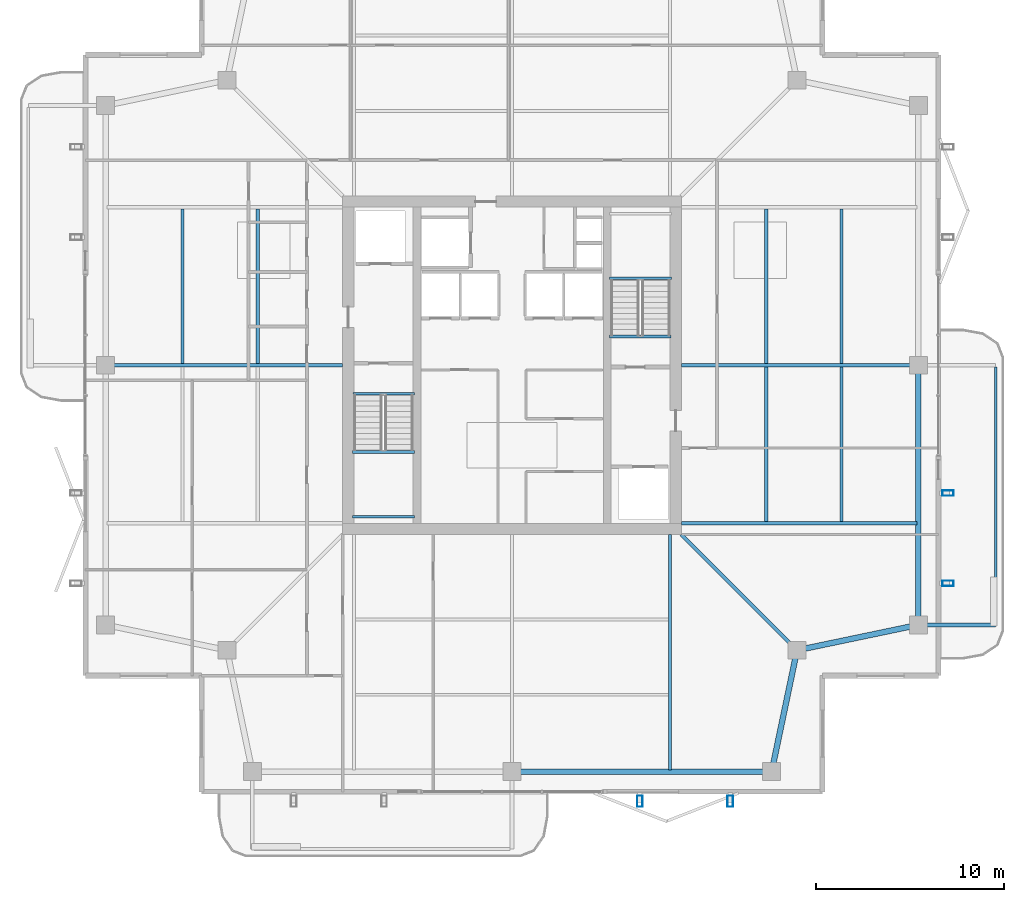
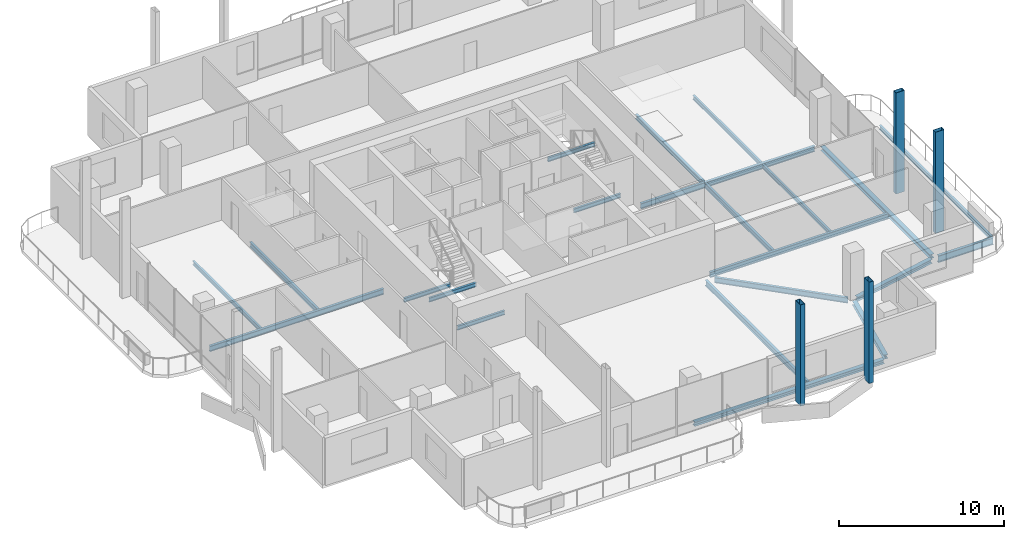
# One storey, part 8 of 20: 22 beams, 4 members.
"""IFC4 building model written with IfcOpenShell, lengths in metres."""

from ifc_helpers import new_model, si_unit, direction, frame, origin, origin_2d, place, context, subcontext, project, spatial, hollow_rectangle, i_section, extrude, material, material_profile, profile_set, type_object, element, save


model = new_model("IFC4")

# Units and contexts
model_context = context("Model", 3, precision=1e-05, world=origin(), true_north=direction((0.0, 1.0)))
body_context = subcontext(model_context, "Body", "Model", "MODEL_VIEW")
ifc_project = project(units=[si_unit("LENGTHUNIT", "METRE"), si_unit("AREAUNIT", "SQUARE_METRE"), si_unit("VOLUMEUNIT", "CUBIC_METRE"), si_unit("PLANEANGLEUNIT", "RADIAN"), si_unit("MASSUNIT", "GRAM", prefix="KILO")], contexts=[model_context])

# Site, building, storey
site_placement = place(None, origin())
site = spatial("IfcSite", under=ifc_project, at=site_placement, CompositionType="ELEMENT")
building_placement = place(site_placement, origin())
building = spatial("IfcBuilding", under=site, at=building_placement, Name="Belovzor Exchange Tower", CompositionType="ELEMENT")
storey_placement = place(building_placement, frame((0.0, 0.0, 314.25)))
storey = spatial("IfcBuildingStorey", under=building, at=storey_placement, Name="L78", CompositionType="ELEMENT", Elevation=314.25)

# Beams
ifc_material_1 = material(Name="Steel S355", Category="steel")
ifc_material_profile_1 = material_profile(ifc_material_1, i_section(OverallWidth=0.199951171875, OverallDepth=0.5, WebThickness=0.01025390625, FlangeThickness=0.01611328125, at=origin_2d()))
ifc_profile_set_1 = profile_set([ifc_material_profile_1], Name="Steel S355")
beam_type_1 = type_object("IfcBeamType", Name="Planted Balcony Cantilever Beam IPE 500", PredefinedType="BEAM", material=ifc_profile_set_1)
beam_1_placement = place(storey_placement, frame((50.660888671875, 15.0, -0.489990234375), z_axis=(1.0, 0.0, 0.0), x_axis=(0.0, 1.0, 0.0)))
element("IfcBeam", 1, at=beam_1_placement, inside=storey, type_object=beam_type_1, Name="BC-500 Planted Balcony Cantilever Beam IPE 500", PredefinedType="BEAM", context=body_context, shape_type="SweptSolid", body=[
    extrude(i_section(OverallWidth=0.199951171875, OverallDepth=0.5, WebThickness=0.01025390625, FlangeThickness=0.01611328125, at=origin_2d()), origin(), (0.0, 0.0, 1.0), 3.85009765625),
])
ifc_material_2 = material(Name="Steel S355", Category="steel")
ifc_material_profile_2 = material_profile(ifc_material_2, i_section(OverallWidth=0.14990234375, OverallDepth=0.300048828125, WebThickness=0.007080078125, FlangeThickness=0.0107421875, at=origin_2d()))
ifc_profile_set_2 = profile_set([ifc_material_profile_2], Name="Steel S355")
beam_type_2 = type_object("IfcBeamType", Name="Planted Balcony Fascia Edge Beam IPE 300", PredefinedType="BEAM", material=ifc_profile_set_2)
beam_2_placement = place(storey_placement, frame((54.510986328125, 15.10009765625, -0.389892578125), z_axis=(0.0, 1.0, 0.0), x_axis=(-1.0, 0.0, 0.0)))
element("IfcBeam", 2, at=beam_2_placement, inside=storey, type_object=beam_type_2, Name="BC-300 Planted Balcony Fascia Edge Beam IPE 300", PredefinedType="BEAM", context=body_context, shape_type="SweptSolid", body=[
    extrude(i_section(OverallWidth=0.14990234375, OverallDepth=0.300048828125, WebThickness=0.007080078125, FlangeThickness=0.0107421875, at=origin_2d()), origin(), (0.0, 0.0, 1.0), 13.599853515625),
])
ifc_material_3 = material(Name="Steel S355", Category="steel")
ifc_material_profile_3 = material_profile(ifc_material_3, i_section(OverallWidth=0.169921875, OverallDepth=0.360107421875, WebThickness=0.008056640625, FlangeThickness=0.0126953125, at=origin_2d()))
ifc_profile_set_3 = profile_set([ifc_material_profile_3], Name="Steel S355")
beam_type_3 = type_object("IfcBeamType", Name="Secondary Infill Floor Joist IPE 360", PredefinedType="BEAM", material=ifc_profile_set_3)
beam_3_placement = place(storey_placement, frame((15.291015625, 28.889892578125, -0.419921875), z_axis=(0.0, 1.0, 0.0), x_axis=(-1.0, 0.0, 0.0)))
element("IfcBeam", 3, at=beam_3_placement, inside=storey, type_object=beam_type_3, Name="FJ-360 Secondary Infill Floor Joist IPE 360", PredefinedType="BEAM", context=body_context, shape_type="SweptSolid", body=[
    extrude(i_section(OverallWidth=0.169921875, OverallDepth=0.360107421875, WebThickness=0.008056640625, FlangeThickness=0.0126953125, at=origin_2d()), origin(), (0.0, 0.0, 1.0), 8.22021484375),
])
beam_4_placement = place(storey_placement, frame((42.30908203125, 20.489990234375, -0.419921875), z_axis=(0.0, 1.0, 0.0), x_axis=(-1.0, 0.0, 0.0)))
element("IfcBeam", 4, at=beam_4_placement, inside=storey, type_object=beam_type_3, Name="FJ-360 Secondary Infill Floor Joist IPE 360", PredefinedType="BEAM", context=body_context, shape_type="SweptSolid", body=[
    extrude(i_section(OverallWidth=0.169921875, OverallDepth=0.360107421875, WebThickness=0.008056640625, FlangeThickness=0.0126953125, at=origin_2d()), origin(), (0.0, 0.0, 1.0), 8.219970703125),
])
beam_5_placement = place(storey_placement, frame((42.30908203125, 28.889892578125, -0.419921875), z_axis=(0.0, 1.0, 0.0), x_axis=(-1.0, 0.0, 0.0)))
element("IfcBeam", 5, at=beam_5_placement, inside=storey, type_object=beam_type_3, Name="FJ-360 Secondary Infill Floor Joist IPE 360", PredefinedType="BEAM", context=body_context, shape_type="SweptSolid", body=[
    extrude(i_section(OverallWidth=0.169921875, OverallDepth=0.360107421875, WebThickness=0.008056640625, FlangeThickness=0.0126953125, at=origin_2d()), origin(), (0.0, 0.0, 1.0), 8.22021484375),
])
ifc_material_4 = material(Name="Steel S355", Category="steel")
ifc_material_profile_4 = material_profile(ifc_material_4, i_section(OverallWidth=0.14990234375, OverallDepth=0.300048828125, WebThickness=0.007080078125, FlangeThickness=0.0107421875, at=origin_2d()))
ifc_profile_set_4 = profile_set([ifc_material_profile_4], Name="Steel S355")
beam_type_4 = type_object("IfcBeamType", Name="Secondary Trim Floor Joist IPE 300", PredefinedType="BEAM", material=ifc_profile_set_4)
for number, where, z_axis, x_axis, name in (
    (6, (20.320068359375, 24.179931640625, 1.52490234375), (1.0, 0.0, 0.0), (0.0, 1.0, 0.0), "FJ-300 Secondary Trim Floor Joist IPE 300"),
    (7, (20.320068359375, 20.75, 1.52490234375), (1.0, 0.0, 0.0), (0.0, 1.0, 0.0), "FJ-300 Secondary Trim Floor Joist IPE 300"),
):
    element("IfcBeam", number, at=place(storey_placement, frame(where, z_axis=z_axis, x_axis=x_axis)), inside=storey, type_object=beam_type_4, Name=name, PredefinedType="BEAM", context=body_context, shape_type="SweptSolid", body=[
        extrude(i_section(OverallWidth=0.14990234375, OverallDepth=0.300048828125, WebThickness=0.007080078125, FlangeThickness=0.0107421875, at=origin_2d()), origin(), (0.0, 0.0, 1.0), 3.309814453125),
    ])
beam_6_placement = place(storey_placement, frame((20.340087890625, 27.280029296875, -0.389892578125), z_axis=(1.0, 0.0, 0.0), x_axis=(0.0, 1.0, 0.0)))
element("IfcBeam", 8, at=beam_6_placement, inside=storey, type_object=beam_type_4, Name="FJ-300 Secondary Trim Floor Joist IPE 300", PredefinedType="BEAM", context=body_context, shape_type="SweptSolid", body=[
    extrude(i_section(OverallWidth=0.14990234375, OverallDepth=0.300048828125, WebThickness=0.007080078125, FlangeThickness=0.0107421875, at=origin_2d()), origin(), (0.0, 0.0, 1.0), 3.27001953125),
])
beam_7_placement = place(storey_placement, frame((37.280029296875, 33.419921875, 1.52490234375), z_axis=(-1.0, 0.0, 0.0), x_axis=(0.0, -1.0, 0.0)))
element("IfcBeam", 9, at=beam_7_placement, inside=storey, type_object=beam_type_4, Name="FJ-300 Secondary Trim Floor Joist IPE 300", PredefinedType="BEAM", context=body_context, shape_type="SweptSolid", body=[
    extrude(i_section(OverallWidth=0.14990234375, OverallDepth=0.300048828125, WebThickness=0.007080078125, FlangeThickness=0.0107421875, at=origin_2d()), origin(), (0.0, 0.0, 1.0), 3.31005859375),
])
beam_8_placement = place(storey_placement, frame((37.260009765625, 30.320068359375, -0.389892578125), z_axis=(-1.0, 0.0, 0.0), x_axis=(0.0, -1.0, 0.0)))
element("IfcBeam", 10, at=beam_8_placement, inside=storey, type_object=beam_type_4, Name="FJ-300 Secondary Trim Floor Joist IPE 300", PredefinedType="BEAM", context=body_context, shape_type="SweptSolid", body=[
    extrude(i_section(OverallWidth=0.14990234375, OverallDepth=0.300048828125, WebThickness=0.007080078125, FlangeThickness=0.0107421875, at=origin_2d()), origin(), (0.0, 0.0, 1.0), 3.27001953125),
])
beam_9_placement = place(storey_placement, frame((11.282958984375, 28.889892578125, -0.389892578125), z_axis=(0.0, 1.0, 0.0), x_axis=(-1.0, 0.0, 0.0)))
element("IfcBeam", 11, at=beam_9_placement, inside=storey, type_object=beam_type_4, Name="FJ-300 Secondary Trim Floor Joist IPE 300", PredefinedType="BEAM", context=body_context, shape_type="SweptSolid", body=[
    extrude(i_section(OverallWidth=0.14990234375, OverallDepth=0.300048828125, WebThickness=0.007080078125, FlangeThickness=0.0107421875, at=origin_2d()), origin(), (0.0, 0.0, 1.0), 8.22021484375),
])
beam_10_placement = place(storey_placement, frame((46.31689453125, 20.489990234375, -0.389892578125), z_axis=(0.0, 1.0, 0.0), x_axis=(-1.0, 0.0, 0.0)))
element("IfcBeam", 12, at=beam_10_placement, inside=storey, type_object=beam_type_4, Name="FJ-300 Secondary Trim Floor Joist IPE 300", PredefinedType="BEAM", context=body_context, shape_type="SweptSolid", body=[
    extrude(i_section(OverallWidth=0.14990234375, OverallDepth=0.300048828125, WebThickness=0.007080078125, FlangeThickness=0.0107421875, at=origin_2d()), origin(), (0.0, 0.0, 1.0), 8.219970703125),
])
beam_11_placement = place(storey_placement, frame((46.31689453125, 28.889892578125, -0.389892578125), z_axis=(0.0, 1.0, 0.0), x_axis=(-1.0, 0.0, 0.0)))
element("IfcBeam", 13, at=beam_11_placement, inside=storey, type_object=beam_type_4, Name="FJ-300 Secondary Trim Floor Joist IPE 300", PredefinedType="BEAM", context=body_context, shape_type="SweptSolid", body=[
    extrude(i_section(OverallWidth=0.14990234375, OverallDepth=0.300048828125, WebThickness=0.007080078125, FlangeThickness=0.0107421875, at=origin_2d()), origin(), (0.0, 0.0, 1.0), 8.22021484375),
])

# Members
ifc_material_5 = material(Name="Extruded Architectural Terracotta on Steel S355 Carrier", Category="masonry")
ifc_material_profile_5 = material_profile(ifc_material_5, hollow_rectangle(XDim=0.300048828125, YDim=0.60009765625, WallThickness=0.01611328125, at=origin_2d()))
ifc_profile_set_5 = profile_set([ifc_material_profile_5], Name="Extruded Architectural Terracotta on Steel S355 Carrier")
member_type = type_object("IfcMemberType", Name="Upper Crown Terracotta Fin Assembly 550", PredefinedType="USERDEFINED", material=ifc_profile_set_5)
for number, where, z_axis, x_axis, name in (
    (14, (51.97509765625, 17.199951171875, -0.239990234375), (0.0, 0.0, 1.0), (0.0, 1.0, 0.0), "FIN-TC055 Terracotta Facade Fin L78 E1"),
    (15, (51.97509765625, 22.0, -0.239990234375), (0.0, 0.0, 1.0), (0.0, 1.0, 0.0), "FIN-TC055 Terracotta Facade Fin L78 E2"),
    (16, (35.60009765625, 5.625, -0.239990234375), (0.0, 0.0, 1.0), (1.0, 0.0, 0.0), "FIN-TC055 Terracotta Facade Fin L78 S3"),
    (17, (40.39990234375, 5.625, -0.239990234375), (0.0, 0.0, 1.0), (1.0, 0.0, 0.0), "FIN-TC055 Terracotta Facade Fin L78 S4"),
):
    element("IfcMember", number, at=place(storey_placement, frame(where, z_axis=z_axis, x_axis=x_axis)), inside=storey, type_object=member_type, Name=name, ObjectType="FIN", PredefinedType="USERDEFINED", context=body_context, shape_type="SweptSolid", body=[
        extrude(hollow_rectangle(XDim=0.300048828125, YDim=0.60009765625, WallThickness=0.01611328125, at=origin_2d()), origin(), (0.0, 0.0, 1.0), 7.5),
    ])

# Beams
ifc_material_6 = material(Name="Steel S355", Category="steel")
ifc_material_profile_6 = material_profile(ifc_material_6, i_section(OverallWidth=0.179931640625, OverallDepth=0.39990234375, WebThickness=0.008544921875, FlangeThickness=0.013427734375, at=origin_2d()))
ifc_profile_set_6 = profile_set([ifc_material_profile_6], Name="Steel S355")
beam_type_5 = type_object("IfcBeamType", Name="Zone 5-6 Radial Composite Floor Beam IPE 400", PredefinedType="BEAM", material=ifc_profile_set_6)
beam_12_placement = place(storey_placement, frame((37.199951171875, 19.800048828125, -0.43994140625), z_axis=(0.0, -1.0, 0.0), x_axis=(1.0, 0.0, 0.0)))
element("IfcBeam", 18, at=beam_12_placement, inside=storey, type_object=beam_type_5, Name="FB-400 Zone 5-6 Radial Composite Floor Beam IPE 400", PredefinedType="BEAM", context=body_context, shape_type="SweptSolid", body=[
    extrude(i_section(OverallWidth=0.179931640625, OverallDepth=0.39990234375, WebThickness=0.008544921875, FlangeThickness=0.013427734375, at=origin_2d()), origin(), (0.0, 0.0, 1.0), 12.525146484375),
])
beam_13_placement = place(storey_placement, frame((19.800048828125, 28.800048828125, -0.43994140625), z_axis=(-1.0, 0.0, 0.0), x_axis=(0.0, -1.0, 0.0)))
element("IfcBeam", 19, at=beam_13_placement, inside=storey, type_object=beam_type_5, Name="FB-400 Zone 5-6 Radial Composite Floor Beam IPE 400", PredefinedType="BEAM", context=body_context, shape_type="SweptSolid", body=[
    extrude(i_section(OverallWidth=0.179931640625, OverallDepth=0.39990234375, WebThickness=0.008544921875, FlangeThickness=0.013427734375, at=origin_2d()), origin(), (0.0, 0.0, 1.0), 12.18212890625),
])
beam_14_placement = place(storey_placement, frame((37.800048828125, 20.39990234375, -0.43994140625), z_axis=(1.0, 0.0, 0.0), x_axis=(0.0, 1.0, 0.0)))
element("IfcBeam", 20, at=beam_14_placement, inside=storey, type_object=beam_type_5, Name="FB-400 Zone 5-6 Radial Composite Floor Beam IPE 400", PredefinedType="BEAM", context=body_context, shape_type="SweptSolid", body=[
    extrude(i_section(OverallWidth=0.179931640625, OverallDepth=0.39990234375, WebThickness=0.008544921875, FlangeThickness=0.013427734375, at=origin_2d()), origin(), (0.0, 0.0, 1.0), 12.52490234375),
])
beam_15_placement = place(storey_placement, frame((37.800048828125, 28.800048828125, -0.43994140625), z_axis=(1.0, 0.0, 0.0), x_axis=(0.0, 1.0, 0.0)))
element("IfcBeam", 21, at=beam_15_placement, inside=storey, type_object=beam_type_5, Name="FB-400 Zone 5-6 Radial Composite Floor Beam IPE 400", PredefinedType="BEAM", context=body_context, shape_type="SweptSolid", body=[
    extrude(i_section(OverallWidth=0.179931640625, OverallDepth=0.39990234375, WebThickness=0.008544921875, FlangeThickness=0.013427734375, at=origin_2d()), origin(), (0.0, 0.0, 1.0), 12.181884765625),
])
beam_16_placement = place(storey_placement, frame((37.800048828125, 19.800048828125, -0.43994140625), z_axis=(0.707150577091, -0.707062982569, 0.0), x_axis=(0.707062982569, 0.707150577091, 0.0)))
element("IfcBeam", 22, at=beam_16_placement, inside=storey, type_object=beam_type_5, Name="FB-400 Zone 5-6 Radial Composite Floor Beam IPE 400", PredefinedType="BEAM", context=body_context, shape_type="SweptSolid", body=[
    extrude(i_section(OverallWidth=0.179931640625, OverallDepth=0.39990234375, WebThickness=0.008544921875, FlangeThickness=0.013427734375, at=origin_2d()), origin(), (0.0, 0.0, 1.0), 8.361572265625),
])
ifc_material_7 = material(Name="Steel S355", Category="steel")
ifc_material_profile_7 = material_profile(ifc_material_7, i_section(OverallWidth=0.300048828125, OverallDepth=0.300048828125, WebThickness=0.008544921875, FlangeThickness=0.013916015625, at=origin_2d()))
ifc_profile_set_7 = profile_set([ifc_material_profile_7], Name="Steel S355")
beam_type_6 = type_object("IfcBeamType", Name="Zone 6 Primary Girder HEA 300", PredefinedType="BEAM", material=ifc_profile_set_7)
beam_17_placement = place(storey_placement, frame((29.06103515625, 7.199951171875, -0.389892578125), z_axis=(1.0, 0.0, 0.0), x_axis=(0.0, 1.0, 0.0)))
element("IfcBeam", 23, at=beam_17_placement, inside=storey, type_object=beam_type_6, Name="FG-Z6 Zone 6 Primary Girder HEA 300", PredefinedType="BEAM", context=body_context, shape_type="SweptSolid", body=[
    extrude(i_section(OverallWidth=0.300048828125, OverallDepth=0.300048828125, WebThickness=0.008544921875, FlangeThickness=0.013916015625, at=origin_2d()), origin(), (0.0, 0.0, 1.0), 13.278076171875),
])
for number, where, z_axis, x_axis, name in (
    (24, (42.654052734375, 7.4560546875, -0.389892578125), (0.204722380619, 0.978820078908, 0.0), (-0.978820078908, 0.204722380619, 0.0), "FG-Z6 Zone 6 Primary Girder HEA 300"),
    (25, (44.2060546875, 13.7041015625, -0.389892578125), (0.978820078908, 0.204722380619, 0.0), (-0.204722380619, 0.978820078908, 0.0), "FG-Z6 Zone 6 Primary Girder HEA 300"),
):
    element("IfcBeam", number, at=place(storey_placement, frame(where, z_axis=z_axis, x_axis=x_axis)), inside=storey, type_object=beam_type_6, Name=name, PredefinedType="BEAM", context=body_context, shape_type="SweptSolid", body=[
        extrude(i_section(OverallWidth=0.300048828125, OverallDepth=0.300048828125, WebThickness=0.008544921875, FlangeThickness=0.013916015625, at=origin_2d()), origin(), (0.0, 0.0, 1.0), 6.06640625),
    ])
beam_18_placement = place(storey_placement, frame((50.39990234375, 15.260986328125, -0.389892578125), z_axis=(0.0, 1.0, 0.0), x_axis=(-1.0, 0.0, 0.0)))
element("IfcBeam", 26, at=beam_18_placement, inside=storey, type_object=beam_type_6, Name="FG-Z6 Zone 6 Primary Girder HEA 300", PredefinedType="BEAM", context=body_context, shape_type="SweptSolid", body=[
    extrude(i_section(OverallWidth=0.300048828125, OverallDepth=0.300048828125, WebThickness=0.008544921875, FlangeThickness=0.013916015625, at=origin_2d()), origin(), (0.0, 0.0, 1.0), 13.278076171875),
])

save(model, "model.ifc")
